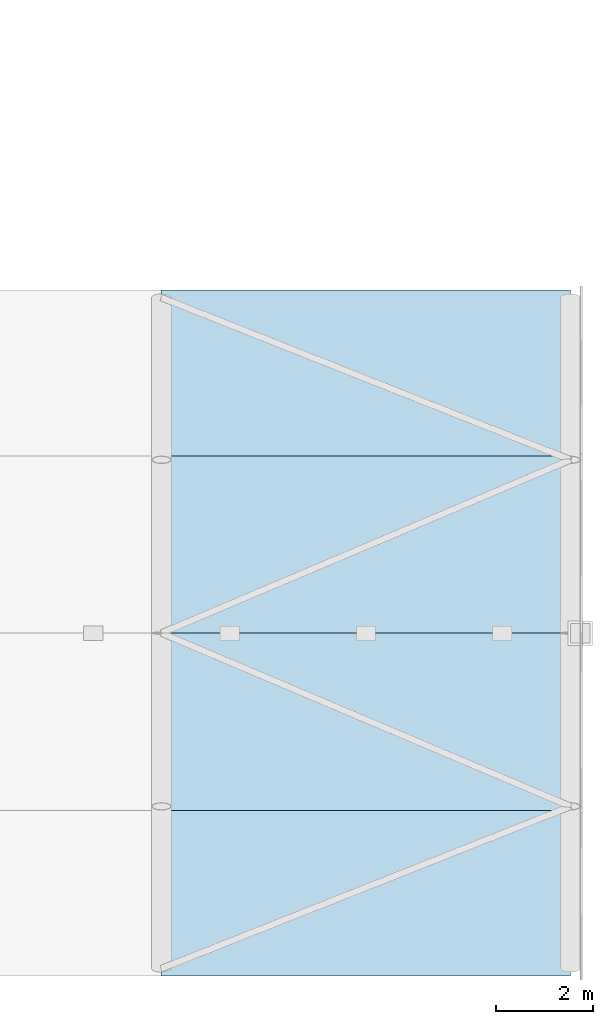
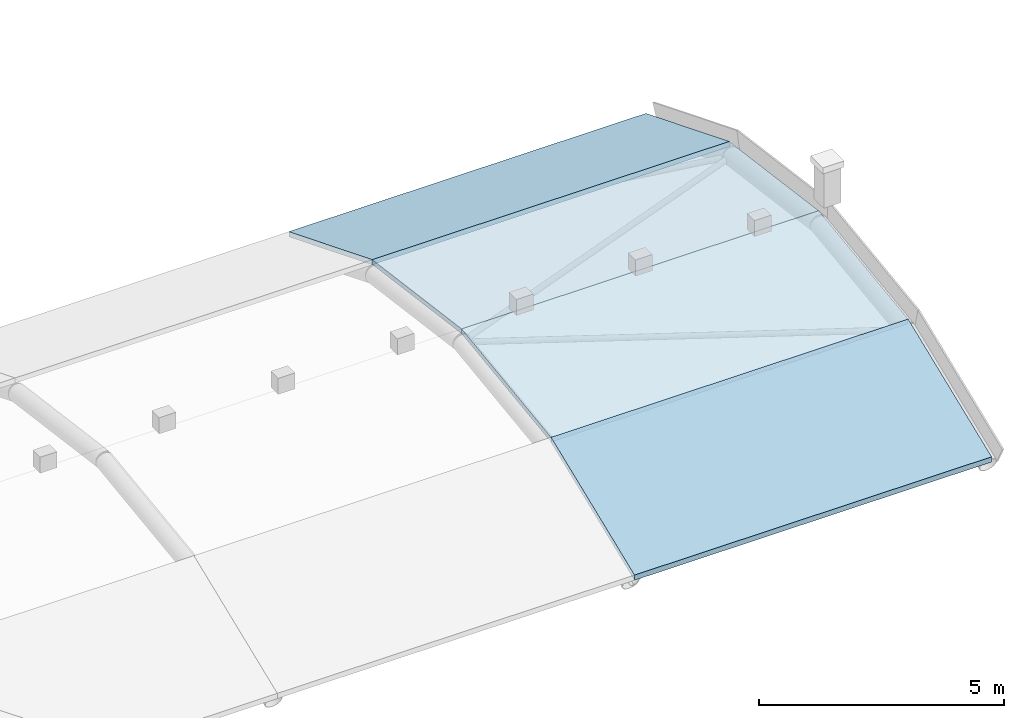
# One storey, part 25 of 31: 4 slabs.
"""IFC4 building model written with IfcOpenShell, lengths in metres."""

from ifc_helpers import new_model, si_unit, direction, frame, origin, place, context, subcontext, project, spatial, polyline, outline, extrude, material, layer, layer_set, type_object, element, save


model = new_model("IFC4")

# Units and contexts
model_context = context("Model", 3, precision=1e-05, world=origin(), true_north=direction((0.0, 1.0)))
body_context = subcontext(model_context, "Body", "Model", "MODEL_VIEW")
ifc_project = project(units=[si_unit("LENGTHUNIT", "METRE"), si_unit("AREAUNIT", "SQUARE_METRE"), si_unit("VOLUMEUNIT", "CUBIC_METRE"), si_unit("PLANEANGLEUNIT", "RADIAN"), si_unit("MASSUNIT", "GRAM", prefix="KILO")], contexts=[model_context])

# Site, building, storey
site_placement = place(None, origin())
site = spatial("IfcSite", under=ifc_project, at=site_placement, CompositionType="ELEMENT")
building_placement = place(site_placement, origin())
building = spatial("IfcBuilding", under=site, at=building_placement, Name="Catenary Quay Ferry Terminal", CompositionType="ELEMENT")
storey_placement = place(building_placement, frame((0.0, 0.0, 20.60009765625)))
storey = spatial("IfcBuildingStorey", under=building, at=storey_placement, Name="L04", CompositionType="ELEMENT", Elevation=20.60009765625)

# Slabs
ifc_material = material(Name="Concrete C35/45", Category="concrete")
ifc_layer = layer(ifc_material, 0.1201171875)
ifc_layer_set = layer_set([ifc_layer], Name="Thin concrete shell roof slab C35/45 120")
slab_type = type_object("IfcSlabType", Name="Thin concrete shell roof slab C35/45 120", PredefinedType="ROOF", material=ifc_layer_set)
slab_1_placement = place(storey_placement, frame((84.0, 118.958251953125, 0.67431640625), z_axis=(0.0, -0.37245899137, 0.928048651606), x_axis=(1.0, 0.0, 0.0)))
element("IfcSlab", 1, at=slab_1_placement, inside=storey, type_object=slab_type, Name="Roof shell panel VD-08-05", PredefinedType="ROOF", context=body_context, shape_type="SweptSolid", body=[
    extrude(outline(polyline([(0.0, 0.0), (8.39990234375, 0.0), (8.39990234375, 3.6634958068924663), (0.0, 3.6634958068924663), (0.0, 0.0)])), origin(), (0.0, -0.37245899137, -0.928048651606), 0.12939453125),
])
slab_2_placement = place(storey_placement, frame((84.0, 122.358154296875, 2.038818359375), z_axis=(0.0, -0.132625051682, 0.991166280533), x_axis=(1.0, 0.0, 0.0)))
element("IfcSlab", 2, at=slab_2_placement, inside=storey, type_object=slab_type, Name="Roof shell panel VD-08-06", PredefinedType="ROOF", context=body_context, shape_type="SweptSolid", body=[
    extrude(outline(polyline([(0.0, 0.0), (8.39990234375, 0.0), (8.39990234375, 3.674303469207395), (0.0, 3.674303469207395), (0.0, 0.0)])), origin(), (0.0, -0.132625051682, -0.991166280533), 0.12109375),
])
slab_3_placement = place(storey_placement, frame((84.0, 126.0, 2.526123046875), z_axis=(0.0, 0.132625051682, 0.991166280533), x_axis=(1.0, 0.0, 0.0)))
element("IfcSlab", 3, at=slab_3_placement, inside=storey, type_object=slab_type, Name="Roof shell panel VD-08-07", PredefinedType="ROOF", context=body_context, shape_type="SweptSolid", body=[
    extrude(outline(polyline([(0.0, 0.0), (8.39990234375, 0.0), (8.39990234375, 3.674303469207395), (0.0, 3.674303469207395), (0.0, 0.0)])), origin(), (0.0, 0.132625051682, -0.991166280533), 0.12109375),
])
slab_4_placement = place(storey_placement, frame((84.0, 129.641845703125, 2.038818359375), z_axis=(0.0, 0.37245899137, 0.928048651606), x_axis=(1.0, 0.0, 0.0)))
element("IfcSlab", 4, at=slab_4_placement, inside=storey, type_object=slab_type, Name="Roof shell panel VD-08-08", PredefinedType="ROOF", context=body_context, shape_type="SweptSolid", body=[
    extrude(outline(polyline([(0.0, 0.0), (8.39990234375, 0.0), (8.39990234375, 3.6634958068924663), (0.0, 3.6634958068924663), (0.0, 0.0)])), origin(), (0.0, 0.37245899137, -0.928048651606), 0.12939453125),
])

save(model, "model.ifc")
